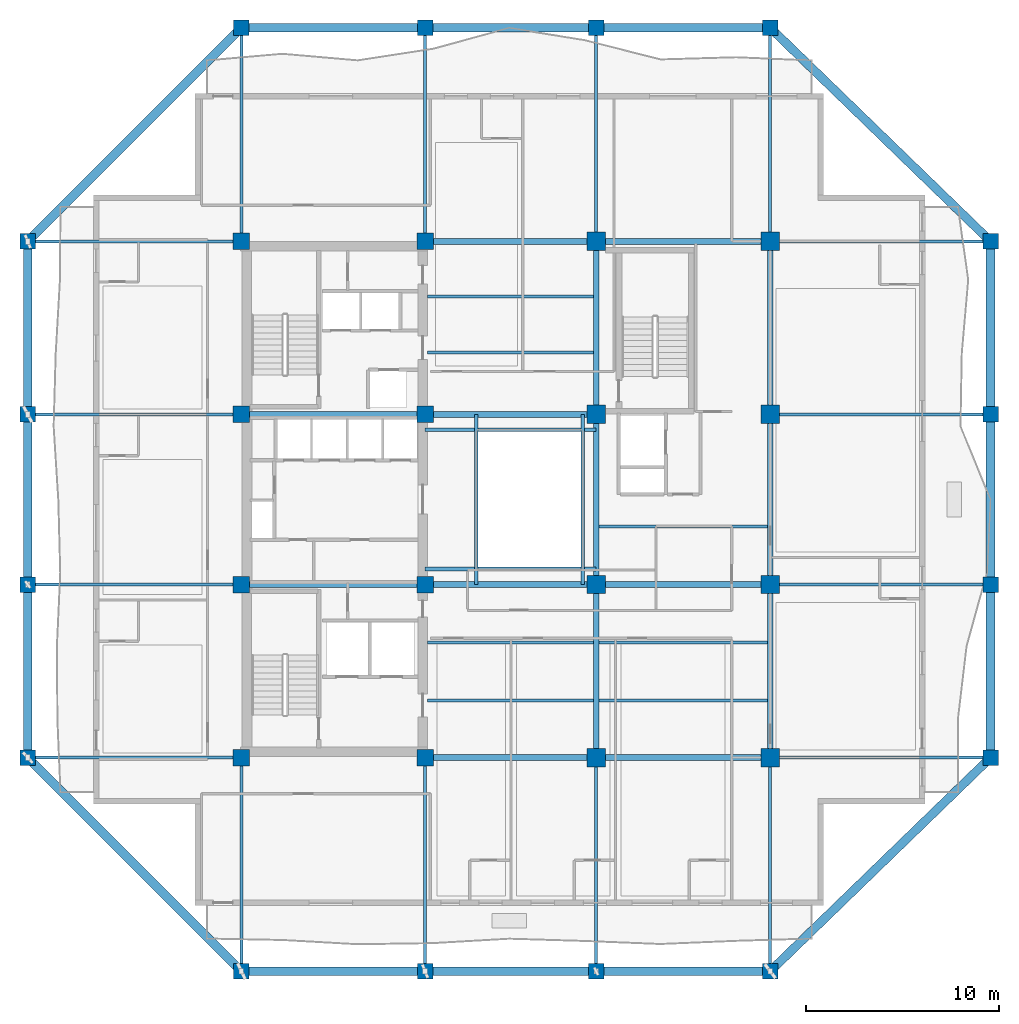
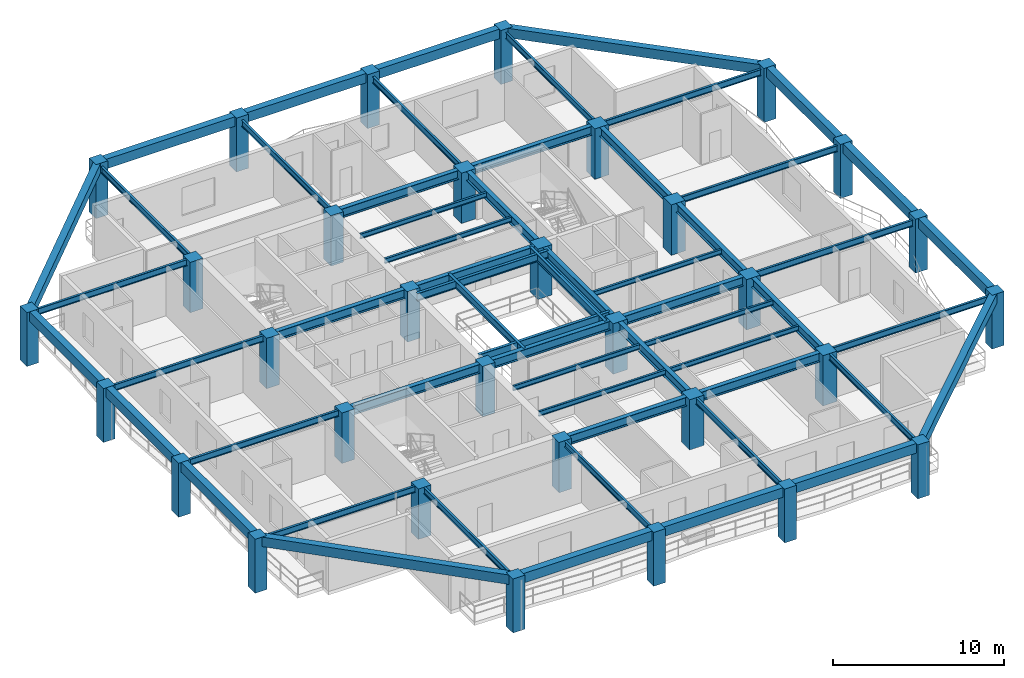
# One storey, part 1 of 13: 58 beams, 32 columns.
"""IFC4 building model written with IfcOpenShell, lengths in metres."""

from ifc_helpers import new_model, si_unit, direction, frame, origin, origin_2d, place, context, subcontext, project, spatial, rectangle, i_section, extrude, material, material_profile, profile_set, type_object, element, save


model = new_model("IFC4")

# Units and contexts
model_context = context("Model", 3, precision=1e-05, world=origin(), true_north=direction((0.0, 1.0)))
body_context = subcontext(model_context, "Body", "Model", "MODEL_VIEW")
ifc_project = project(units=[si_unit("LENGTHUNIT", "METRE"), si_unit("AREAUNIT", "SQUARE_METRE"), si_unit("VOLUMEUNIT", "CUBIC_METRE"), si_unit("PLANEANGLEUNIT", "RADIAN"), si_unit("MASSUNIT", "GRAM", prefix="KILO")], contexts=[model_context])

# Site, building, storey
site_placement = place(None, origin())
site = spatial("IfcSite", under=ifc_project, at=site_placement, CompositionType="ELEMENT")
building_placement = place(site_placement, origin())
building = spatial("IfcBuilding", under=site, at=building_placement, Name="Kundavana Baori Tower", CompositionType="ELEMENT")
storey_placement = place(building_placement, frame((0.0, 0.0, 181.0)))
storey = spatial("IfcBuildingStorey", under=building, at=storey_placement, Name="L44", CompositionType="ELEMENT", Elevation=181.0)

# Columns
ifc_material_1 = material(Name="Concrete C50/60", Category="concrete")
ifc_material_profile_1 = material_profile(ifc_material_1, rectangle(XDim=0.800048828125, YDim=0.800048828125, at=origin_2d()), Name="RC PF 800x800")
ifc_profile_set_1 = profile_set([ifc_material_profile_1], Name="Concrete C50/60")
column_type_1 = type_object("IfcColumnType", Name="COL-PF-800", PredefinedType="COLUMN", material=ifc_profile_set_1)
for number, where, z_axis, x_axis, name in (
    (1, (15.449951171875, 4.199951171875, 0.0), (0.0, 0.0, 1.0), (1.0, 0.0, 0.0), "L44 Stone-Clad Perimeter Frame Column PF-S1"),
    (2, (15.449951171875, 53.0, 0.0), (0.0, 0.0, 1.0), (1.0, 0.0, 0.0), "L44 Stone-Clad Perimeter Frame Column PF-N1"),
    (3, (24.949951171875, 4.199951171875, 0.0), (0.0, 0.0, 1.0), (1.0, 0.0, 0.0), "L44 Stone-Clad Perimeter Frame Column PF-S2"),
    (4, (24.949951171875, 53.0, 0.0), (0.0, 0.0, 1.0), (1.0, 0.0, 0.0), "L44 Stone-Clad Perimeter Frame Column PF-N2"),
    (5, (33.800048828125, 4.199951171875, 0.0), (0.0, 0.0, 1.0), (1.0, 0.0, 0.0), "L44 Stone-Clad Perimeter Frame Column PF-S3"),
    (6, (33.800048828125, 53.0, 0.0), (0.0, 0.0, 1.0), (1.0, 0.0, 0.0), "L44 Stone-Clad Perimeter Frame Column PF-N3"),
    (7, (42.800048828125, 4.199951171875, 0.0), (0.0, 0.0, 1.0), (1.0, 0.0, 0.0), "L44 Stone-Clad Perimeter Frame Column PF-S4"),
    (8, (42.800048828125, 53.0, 0.0), (0.0, 0.0, 1.0), (1.0, 0.0, 0.0), "L44 Stone-Clad Perimeter Frame Column PF-N4"),
    (9, (4.39990234375, 15.25, 0.0), (0.0, 0.0, 1.0), (1.0, 0.0, 0.0), "L44 Stone-Clad Perimeter Frame Column PF-W1"),
    (10, (54.199951171875, 15.25, 0.0), (0.0, 0.0, 1.0), (1.0, 0.0, 0.0), "L44 Stone-Clad Perimeter Frame Column PF-E1"),
    (11, (4.39990234375, 24.199951171875, 0.0), (0.0, 0.0, 1.0), (1.0, 0.0, 0.0), "L44 Stone-Clad Perimeter Frame Column PF-W2"),
    (12, (54.199951171875, 24.199951171875, 0.0), (0.0, 0.0, 1.0), (1.0, 0.0, 0.0), "L44 Stone-Clad Perimeter Frame Column PF-E2"),
    (13, (4.39990234375, 33.0, 0.0), (0.0, 0.0, 1.0), (1.0, 0.0, 0.0), "L44 Stone-Clad Perimeter Frame Column PF-W3"),
    (14, (54.199951171875, 33.0, 0.0), (0.0, 0.0, 1.0), (1.0, 0.0, 0.0), "L44 Stone-Clad Perimeter Frame Column PF-E3"),
    (15, (4.39990234375, 41.949951171875, 0.0), (0.0, 0.0, 1.0), (1.0, 0.0, 0.0), "L44 Stone-Clad Perimeter Frame Column PF-W4"),
    (16, (54.199951171875, 41.949951171875, 0.0), (0.0, 0.0, 1.0), (1.0, 0.0, 0.0), "L44 Stone-Clad Perimeter Frame Column PF-E4"),
):
    element("IfcColumn", number, at=place(storey_placement, frame(where, z_axis=z_axis, x_axis=x_axis)), inside=storey, type_object=column_type_1, Name=name, PredefinedType="COLUMN", context=body_context, shape_type="SweptSolid", body=[
        extrude(rectangle(XDim=0.800048828125, YDim=0.800048828125, at=origin_2d()), origin(), (0.0, 0.0, 1.0), 3.85009765625),
    ])
ifc_material_2 = material(Name="Concrete C50/60", Category="concrete")
ifc_material_profile_2 = material_profile(ifc_material_2, rectangle(XDim=0.85009765625, YDim=0.85009765625, at=origin_2d()), Name="RC 850x850")
ifc_profile_set_2 = profile_set([ifc_material_profile_2], Name="Concrete C50/60")
column_type_2 = type_object("IfcColumnType", Name="COL-RC-850", PredefinedType="COLUMN", material=ifc_profile_set_2)
for number, where, z_axis, x_axis, name in (
    (17, (15.449951171875, 15.25, 0.0), (0.0, 0.0, 1.0), (1.0, 0.0, 0.0), "L44 Interior Column IC-3C"),
    (18, (15.449951171875, 24.199951171875, 0.0), (0.0, 0.0, 1.0), (1.0, 0.0, 0.0), "L44 Interior Column IC-3D"),
    (19, (15.449951171875, 33.0, 0.0), (0.0, 0.0, 1.0), (1.0, 0.0, 0.0), "L44 Interior Column IC-3E"),
    (20, (15.449951171875, 41.949951171875, 0.0), (0.0, 0.0, 1.0), (1.0, 0.0, 0.0), "L44 Interior Column IC-3F"),
    (21, (24.949951171875, 15.25, 0.0), (0.0, 0.0, 1.0), (1.0, 0.0, 0.0), "L44 Interior Column IC-4C"),
    (22, (24.949951171875, 24.199951171875, 0.0), (0.0, 0.0, 1.0), (1.0, 0.0, 0.0), "L44 Interior Column IC-4D"),
    (23, (24.949951171875, 33.0, 0.0), (0.0, 0.0, 1.0), (1.0, 0.0, 0.0), "L44 Interior Column IC-4E"),
    (24, (24.949951171875, 41.949951171875, 0.0), (0.0, 0.0, 1.0), (1.0, 0.0, 0.0), "L44 Interior Column IC-4F"),
):
    element("IfcColumn", number, at=place(storey_placement, frame(where, z_axis=z_axis, x_axis=x_axis)), inside=storey, type_object=column_type_2, Name=name, PredefinedType="COLUMN", context=body_context, shape_type="SweptSolid", body=[
        extrude(rectangle(XDim=0.85009765625, YDim=0.85009765625, at=origin_2d()), origin(), (0.0, 0.0, 1.0), 3.60009765625),
    ])
ifc_material_3 = material(Name="Concrete C50/60", Category="concrete")
ifc_material_profile_3 = material_profile(ifc_material_3, rectangle(XDim=0.949951171875, YDim=0.949951171875, at=origin_2d()), Name="RC 950x950")
ifc_profile_set_3 = profile_set([ifc_material_profile_3], Name="Concrete C50/60")
column_type_3 = type_object("IfcColumnType", Name="COL-RC-950", PredefinedType="COLUMN", material=ifc_profile_set_3)
for number, where, z_axis, x_axis, name in (
    (25, (33.800048828125, 15.25, 0.0), (0.0, 0.0, 1.0), (1.0, 0.0, 0.0), "L44 Interior Column IC-5C"),
    (26, (33.800048828125, 24.199951171875, 0.0), (0.0, 0.0, 1.0), (1.0, 0.0, 0.0), "L44 Interior Column IC-5D"),
    (27, (33.800048828125, 33.0, 0.0), (0.0, 0.0, 1.0), (1.0, 0.0, 0.0), "L44 Interior Column IC-5E"),
    (28, (33.800048828125, 41.949951171875, 0.0), (0.0, 0.0, 1.0), (1.0, 0.0, 0.0), "L44 Interior Column IC-5F"),
    (29, (42.800048828125, 15.25, 0.0), (0.0, 0.0, 1.0), (1.0, 0.0, 0.0), "L44 Interior Column IC-6C"),
    (30, (42.800048828125, 24.199951171875, 0.0), (0.0, 0.0, 1.0), (1.0, 0.0, 0.0), "L44 Interior Column IC-6D"),
    (31, (42.800048828125, 33.0, 0.0), (0.0, 0.0, 1.0), (1.0, 0.0, 0.0), "L44 Interior Column IC-6E"),
    (32, (42.800048828125, 41.949951171875, 0.0), (0.0, 0.0, 1.0), (1.0, 0.0, 0.0), "L44 Interior Column IC-6F"),
):
    element("IfcColumn", number, at=place(storey_placement, frame(where, z_axis=z_axis, x_axis=x_axis)), inside=storey, type_object=column_type_3, Name=name, PredefinedType="COLUMN", context=body_context, shape_type="SweptSolid", body=[
        extrude(rectangle(XDim=0.949951171875, YDim=0.949951171875, at=origin_2d()), origin(), (0.0, 0.0, 1.0), 3.60009765625),
    ])

# Beams
ifc_material_4 = material(Name="Structural Steel S355JR", Category="steel")
ifc_material_profile_4 = material_profile(ifc_material_4, i_section(OverallWidth=0.139892578125, OverallDepth=0.35009765625, WebThickness=0.008056640625, FlangeThickness=0.01416015625, FilletRadius=0.013916015625, at=origin_2d()), Name="ISMB 350")
ifc_profile_set_4 = profile_set([ifc_material_profile_4], Name="Structural Steel S355JR")
beam_type_1 = type_object("IfcBeamType", Name="BM-JST-350", PredefinedType="JOIST", material=ifc_profile_set_4)
for number, where, z_axis, x_axis, name in (
    (33, (25.080078125, 18.199951171875, 3.425048828125), (1.0, 0.0, 0.0), (0.0, 1.0, 0.0), "L44 Central Bay Composite Floor Joist C1"),
    (34, (25.080078125, 21.199951171875, 3.425048828125), (1.0, 0.0, 0.0), (0.0, 1.0, 0.0), "L44 Central Bay Composite Floor Joist C2"),
    (35, (25.080078125, 36.199951171875, 3.425048828125), (1.0, 0.0, 0.0), (0.0, 1.0, 0.0), "L44 Central Bay Composite Floor Joist C3"),
    (36, (25.080078125, 39.10009765625, 3.425048828125), (1.0, 0.0, 0.0), (0.0, 1.0, 0.0), "L44 Central Bay Composite Floor Joist C4"),
):
    element("IfcBeam", number, at=place(storey_placement, frame(where, z_axis=z_axis, x_axis=x_axis)), inside=storey, type_object=beam_type_1, Name=name, PredefinedType="JOIST", context=body_context, shape_type="SweptSolid", body=[
        extrude(i_section(OverallWidth=0.139892578125, OverallDepth=0.35009765625, WebThickness=0.008056640625, FlangeThickness=0.01416015625, FilletRadius=0.013916015625, at=origin_2d()), origin(), (0.0, 0.0, 1.0), 8.56982421875),
    ])
for number, where, z_axis, x_axis, name in (
    (37, (33.949951171875, 18.199951171875, 3.425048828125), (1.0, 0.0, 0.0), (0.0, 1.0, 0.0), "L44 East Bay Composite Floor Joist E1"),
    (38, (33.949951171875, 21.199951171875, 3.425048828125), (1.0, 0.0, 0.0), (0.0, 1.0, 0.0), "L44 East Bay Composite Floor Joist E2"),
    (39, (33.949951171875, 27.199951171875, 3.425048828125), (1.0, 0.0, 0.0), (0.0, 1.0, 0.0), "L44 East Bay Composite Floor Joist E3"),
):
    element("IfcBeam", number, at=place(storey_placement, frame(where, z_axis=z_axis, x_axis=x_axis)), inside=storey, type_object=beam_type_1, Name=name, PredefinedType="JOIST", context=body_context, shape_type="SweptSolid", body=[
        extrude(i_section(OverallWidth=0.139892578125, OverallDepth=0.35009765625, WebThickness=0.008056640625, FlangeThickness=0.01416015625, FilletRadius=0.013916015625, at=origin_2d()), origin(), (0.0, 0.0, 1.0), 8.699951171875),
    ])
ifc_material_5 = material(Name="Concrete C50/60", Category="concrete")
ifc_material_profile_5 = material_profile(ifc_material_5, rectangle(XDim=0.449951171875, YDim=0.679931640625, at=origin_2d()), Name="RC BM 450x680")
ifc_profile_set_5 = profile_set([ifc_material_profile_5], Name="Concrete C50/60")
beam_type_2 = type_object("IfcBeamType", Name="BM-PF-680", PredefinedType="SPANDREL", material=ifc_profile_set_5)
beam_1_placement = place(storey_placement, frame((15.449951171875, 4.199951171875, 3.510009765625), z_axis=(1.0, 0.0, 0.0), x_axis=(0.0, 1.0, 0.0)))
element("IfcBeam", 40, at=beam_1_placement, inside=storey, type_object=beam_type_2, Name="L44 Perimeter Frame Ring Beam S1", PredefinedType="SPANDREL", context=body_context, shape_type="SweptSolid", body=[
    extrude(rectangle(XDim=0.449951171875, YDim=0.679931640625, at=origin_2d()), origin(), (0.0, 0.0, 1.0), 9.5),
])
beam_2_placement = place(storey_placement, frame((24.949951171875, 4.199951171875, 3.510009765625), z_axis=(1.0, 0.0, 0.0), x_axis=(0.0, 1.0, 0.0)))
element("IfcBeam", 41, at=beam_2_placement, inside=storey, type_object=beam_type_2, Name="L44 Perimeter Frame Ring Beam S2", PredefinedType="SPANDREL", context=body_context, shape_type="SweptSolid", body=[
    extrude(rectangle(XDim=0.449951171875, YDim=0.679931640625, at=origin_2d()), origin(), (0.0, 0.0, 1.0), 8.85009765625),
])
beam_3_placement = place(storey_placement, frame((33.800048828125, 4.199951171875, 3.510009765625), z_axis=(1.0, 0.0, 0.0), x_axis=(0.0, 1.0, 0.0)))
element("IfcBeam", 42, at=beam_3_placement, inside=storey, type_object=beam_type_2, Name="L44 Perimeter Frame Ring Beam S3", PredefinedType="SPANDREL", context=body_context, shape_type="SweptSolid", body=[
    extrude(rectangle(XDim=0.449951171875, YDim=0.679931640625, at=origin_2d()), origin(), (0.0, 0.0, 1.0), 9.0),
])
beam_4_placement = place(storey_placement, frame((15.449951171875, 53.0, 3.510009765625), z_axis=(1.0, 0.0, 0.0), x_axis=(0.0, 1.0, 0.0)))
element("IfcBeam", 43, at=beam_4_placement, inside=storey, type_object=beam_type_2, Name="L44 Perimeter Frame Ring Beam N1", PredefinedType="SPANDREL", context=body_context, shape_type="SweptSolid", body=[
    extrude(rectangle(XDim=0.449951171875, YDim=0.679931640625, at=origin_2d()), origin(), (0.0, 0.0, 1.0), 9.5),
])
beam_5_placement = place(storey_placement, frame((24.949951171875, 53.0, 3.510009765625), z_axis=(1.0, 0.0, 0.0), x_axis=(0.0, 1.0, 0.0)))
element("IfcBeam", 44, at=beam_5_placement, inside=storey, type_object=beam_type_2, Name="L44 Perimeter Frame Ring Beam N2", PredefinedType="SPANDREL", context=body_context, shape_type="SweptSolid", body=[
    extrude(rectangle(XDim=0.449951171875, YDim=0.679931640625, at=origin_2d()), origin(), (0.0, 0.0, 1.0), 8.85009765625),
])
beam_6_placement = place(storey_placement, frame((33.800048828125, 53.0, 3.510009765625), z_axis=(1.0, 0.0, 0.0), x_axis=(0.0, 1.0, 0.0)))
element("IfcBeam", 45, at=beam_6_placement, inside=storey, type_object=beam_type_2, Name="L44 Perimeter Frame Ring Beam N3", PredefinedType="SPANDREL", context=body_context, shape_type="SweptSolid", body=[
    extrude(rectangle(XDim=0.449951171875, YDim=0.679931640625, at=origin_2d()), origin(), (0.0, 0.0, 1.0), 9.0),
])
beam_7_placement = place(storey_placement, frame((4.39990234375, 15.25, 3.510009765625), z_axis=(0.0, 1.0, 0.0), x_axis=(-1.0, 0.0, 0.0)))
element("IfcBeam", 46, at=beam_7_placement, inside=storey, type_object=beam_type_2, Name="L44 Perimeter Frame Ring Beam W1", PredefinedType="SPANDREL", context=body_context, shape_type="SweptSolid", body=[
    extrude(rectangle(XDim=0.449951171875, YDim=0.679931640625, at=origin_2d()), origin(), (0.0, 0.0, 1.0), 8.949951171875),
])
beam_8_placement = place(storey_placement, frame((4.39990234375, 24.199951171875, 3.510009765625), z_axis=(0.0, 1.0, 0.0), x_axis=(-1.0, 0.0, 0.0)))
element("IfcBeam", 47, at=beam_8_placement, inside=storey, type_object=beam_type_2, Name="L44 Perimeter Frame Ring Beam W2", PredefinedType="SPANDREL", context=body_context, shape_type="SweptSolid", body=[
    extrude(rectangle(XDim=0.449951171875, YDim=0.679931640625, at=origin_2d()), origin(), (0.0, 0.0, 1.0), 8.800048828125),
])
for number, where, z_axis, x_axis, name in (
    (48, (4.39990234375, 33.0, 3.510009765625), (0.0, 1.0, 0.0), (-1.0, 0.0, 0.0), "L44 Perimeter Frame Ring Beam W3"),
    (49, (54.199951171875, 15.25, 3.510009765625), (0.0, 1.0, 0.0), (-1.0, 0.0, 0.0), "L44 Perimeter Frame Ring Beam E1"),
):
    element("IfcBeam", number, at=place(storey_placement, frame(where, z_axis=z_axis, x_axis=x_axis)), inside=storey, type_object=beam_type_2, Name=name, PredefinedType="SPANDREL", context=body_context, shape_type="SweptSolid", body=[
        extrude(rectangle(XDim=0.449951171875, YDim=0.679931640625, at=origin_2d()), origin(), (0.0, 0.0, 1.0), 8.949951171875),
    ])
beam_9_placement = place(storey_placement, frame((54.199951171875, 24.199951171875, 3.510009765625), z_axis=(0.0, 1.0, 0.0), x_axis=(-1.0, 0.0, 0.0)))
element("IfcBeam", 50, at=beam_9_placement, inside=storey, type_object=beam_type_2, Name="L44 Perimeter Frame Ring Beam E2", PredefinedType="SPANDREL", context=body_context, shape_type="SweptSolid", body=[
    extrude(rectangle(XDim=0.449951171875, YDim=0.679931640625, at=origin_2d()), origin(), (0.0, 0.0, 1.0), 8.800048828125),
])
beam_10_placement = place(storey_placement, frame((54.199951171875, 33.0, 3.510009765625), z_axis=(0.0, 1.0, 0.0), x_axis=(-1.0, 0.0, 0.0)))
element("IfcBeam", 51, at=beam_10_placement, inside=storey, type_object=beam_type_2, Name="L44 Perimeter Frame Ring Beam E3", PredefinedType="SPANDREL", context=body_context, shape_type="SweptSolid", body=[
    extrude(rectangle(XDim=0.449951171875, YDim=0.679931640625, at=origin_2d()), origin(), (0.0, 0.0, 1.0), 8.949951171875),
])
beam_11_placement = place(storey_placement, frame((15.449951171875, 4.199951171875, 3.510009765625), z_axis=(-0.707106781187, 0.707106781187, 0.0), x_axis=(-0.707106781187, -0.707106781187, 0.0)))
element("IfcBeam", 52, at=beam_11_placement, inside=storey, type_object=beam_type_2, Name="L44 Notched Corner Perimeter Beam SW", PredefinedType="SPANDREL", context=body_context, shape_type="SweptSolid", body=[
    extrude(rectangle(XDim=0.449951171875, YDim=0.679931640625, at=origin_2d()), origin(), (0.0, 0.0, 1.0), 15.627197265625),
])
beam_12_placement = place(storey_placement, frame((42.800048828125, 4.199951171875, 3.510009765625), z_axis=(0.718038944492, 0.696002926857, 0.0), x_axis=(-0.696002926857, 0.718038944492, 0.0)))
element("IfcBeam", 53, at=beam_12_placement, inside=storey, type_object=beam_type_2, Name="L44 Notched Corner Perimeter Beam SE", PredefinedType="SPANDREL", context=body_context, shape_type="SweptSolid", body=[
    extrude(rectangle(XDim=0.449951171875, YDim=0.679931640625, at=origin_2d()), origin(), (0.0, 0.0, 1.0), 15.87646484375),
])
beam_13_placement = place(storey_placement, frame((15.449951171875, 53.0, 3.510009765625), z_axis=(-0.707106781187, -0.707106781187, 0.0), x_axis=(0.707106781187, -0.707106781187, 0.0)))
element("IfcBeam", 54, at=beam_13_placement, inside=storey, type_object=beam_type_2, Name="L44 Notched Corner Perimeter Beam NW", PredefinedType="SPANDREL", context=body_context, shape_type="SweptSolid", body=[
    extrude(rectangle(XDim=0.449951171875, YDim=0.679931640625, at=origin_2d()), origin(), (0.0, 0.0, 1.0), 15.627197265625),
])
beam_14_placement = place(storey_placement, frame((42.800048828125, 53.0, 3.510009765625), z_axis=(0.718038944492, -0.696002926857, 0.0), x_axis=(0.696002926857, 0.718038944492, 0.0)))
element("IfcBeam", 55, at=beam_14_placement, inside=storey, type_object=beam_type_2, Name="L44 Notched Corner Perimeter Beam NE", PredefinedType="SPANDREL", context=body_context, shape_type="SweptSolid", body=[
    extrude(rectangle(XDim=0.449951171875, YDim=0.679931640625, at=origin_2d()), origin(), (0.0, 0.0, 1.0), 15.87646484375),
])
ifc_material_6 = material(Name="Structural Steel S355JR", Category="steel")
ifc_material_profile_6 = material_profile(ifc_material_6, i_section(OverallWidth=0.18994140625, OverallDepth=0.550048828125, WebThickness=0.01123046875, FlangeThickness=0.019287109375, FilletRadius=0.01806640625, at=origin_2d()), Name="ISMB 550")
ifc_profile_set_6 = profile_set([ifc_material_profile_6], Name="Structural Steel S355JR")
beam_type_3 = type_object("IfcBeamType", Name="BM-ST-550", PredefinedType="BEAM", material=ifc_profile_set_6)
for number, where, z_axis, x_axis, name in (
    (56, (27.60009765625, 24.199951171875, 3.324951171875), (0.0, 1.0, 0.0), (-1.0, 0.0, 0.0), "L44 Atrium West Edge Beam"),
    (57, (33.10009765625, 24.199951171875, 3.324951171875), (0.0, 1.0, 0.0), (-1.0, 0.0, 0.0), "L44 Atrium East Edge Beam"),
):
    element("IfcBeam", number, at=place(storey_placement, frame(where, z_axis=z_axis, x_axis=x_axis)), inside=storey, type_object=beam_type_3, Name=name, PredefinedType="BEAM", context=body_context, shape_type="SweptSolid", body=[
        extrude(i_section(OverallWidth=0.18994140625, OverallDepth=0.550048828125, WebThickness=0.01123046875, FlangeThickness=0.019287109375, FilletRadius=0.01806640625, at=origin_2d()), origin(), (0.0, 0.0, 1.0), 8.800048828125),
    ])
for number, where, z_axis, x_axis, name in (
    (58, (24.949951171875, 25.0, 3.324951171875), (1.0, 0.0, 0.0), (0.0, 1.0, 0.0), "L44 Atrium South Edge Beam"),
    (59, (24.949951171875, 32.199951171875, 3.324951171875), (1.0, 0.0, 0.0), (0.0, 1.0, 0.0), "L44 Atrium North Edge Beam"),
):
    element("IfcBeam", number, at=place(storey_placement, frame(where, z_axis=z_axis, x_axis=x_axis)), inside=storey, type_object=beam_type_3, Name=name, PredefinedType="BEAM", context=body_context, shape_type="SweptSolid", body=[
        extrude(i_section(OverallWidth=0.18994140625, OverallDepth=0.550048828125, WebThickness=0.01123046875, FlangeThickness=0.019287109375, FilletRadius=0.01806640625, at=origin_2d()), origin(), (0.0, 0.0, 1.0), 8.85009765625),
    ])
ifc_material_7 = material(Name="Structural Steel S355JR", Category="steel")
ifc_material_profile_7 = material_profile(ifc_material_7, i_section(OverallWidth=0.300048828125, OverallDepth=0.64990234375, WebThickness=0.013427734375, FlangeThickness=0.02197265625, FilletRadius=0.02392578125, at=origin_2d()), Name="NPB 650x300x155")
ifc_profile_set_7 = profile_set([ifc_material_profile_7], Name="Structural Steel S355JR")
beam_type_4 = type_object("IfcBeamType", Name="BM-ST-650", PredefinedType="BEAM", material=ifc_profile_set_7)
beam_15_placement = place(storey_placement, frame((24.949951171875, 15.25, 3.27490234375), z_axis=(1.0, 0.0, 0.0), x_axis=(0.0, 1.0, 0.0)))
element("IfcBeam", 60, at=beam_15_placement, inside=storey, type_object=beam_type_4, Name="L44 Primary Grid Girder GX-1-2", PredefinedType="BEAM", context=body_context, shape_type="SweptSolid", body=[
    extrude(i_section(OverallWidth=0.300048828125, OverallDepth=0.64990234375, WebThickness=0.013427734375, FlangeThickness=0.02197265625, FilletRadius=0.02392578125, at=origin_2d()), origin(), (0.0, 0.0, 1.0), 8.85009765625),
])
beam_16_placement = place(storey_placement, frame((33.800048828125, 15.25, 3.27490234375), z_axis=(1.0, 0.0, 0.0), x_axis=(0.0, 1.0, 0.0)))
element("IfcBeam", 61, at=beam_16_placement, inside=storey, type_object=beam_type_4, Name="L44 Primary Grid Girder GX-1-3", PredefinedType="BEAM", context=body_context, shape_type="SweptSolid", body=[
    extrude(i_section(OverallWidth=0.300048828125, OverallDepth=0.64990234375, WebThickness=0.013427734375, FlangeThickness=0.02197265625, FilletRadius=0.02392578125, at=origin_2d()), origin(), (0.0, 0.0, 1.0), 9.0),
])
beam_17_placement = place(storey_placement, frame((15.449951171875, 24.199951171875, 3.27490234375), z_axis=(1.0, 0.0, 0.0), x_axis=(0.0, 1.0, 0.0)))
element("IfcBeam", 62, at=beam_17_placement, inside=storey, type_object=beam_type_4, Name="L44 Primary Grid Girder GX-2-1", PredefinedType="BEAM", context=body_context, shape_type="SweptSolid", body=[
    extrude(i_section(OverallWidth=0.300048828125, OverallDepth=0.64990234375, WebThickness=0.013427734375, FlangeThickness=0.02197265625, FilletRadius=0.02392578125, at=origin_2d()), origin(), (0.0, 0.0, 1.0), 9.5),
])
beam_18_placement = place(storey_placement, frame((24.949951171875, 24.199951171875, 3.27490234375), z_axis=(1.0, 0.0, 0.0), x_axis=(0.0, 1.0, 0.0)))
element("IfcBeam", 63, at=beam_18_placement, inside=storey, type_object=beam_type_4, Name="L44 Primary Grid Girder GX-2-2", PredefinedType="BEAM", context=body_context, shape_type="SweptSolid", body=[
    extrude(i_section(OverallWidth=0.300048828125, OverallDepth=0.64990234375, WebThickness=0.013427734375, FlangeThickness=0.02197265625, FilletRadius=0.02392578125, at=origin_2d()), origin(), (0.0, 0.0, 1.0), 8.85009765625),
])
beam_19_placement = place(storey_placement, frame((33.800048828125, 24.199951171875, 3.27490234375), z_axis=(1.0, 0.0, 0.0), x_axis=(0.0, 1.0, 0.0)))
element("IfcBeam", 64, at=beam_19_placement, inside=storey, type_object=beam_type_4, Name="L44 Primary Grid Girder GX-2-3", PredefinedType="BEAM", context=body_context, shape_type="SweptSolid", body=[
    extrude(i_section(OverallWidth=0.300048828125, OverallDepth=0.64990234375, WebThickness=0.013427734375, FlangeThickness=0.02197265625, FilletRadius=0.02392578125, at=origin_2d()), origin(), (0.0, 0.0, 1.0), 9.0),
])
beam_20_placement = place(storey_placement, frame((15.449951171875, 33.0, 3.27490234375), z_axis=(1.0, 0.0, 0.0), x_axis=(0.0, 1.0, 0.0)))
element("IfcBeam", 65, at=beam_20_placement, inside=storey, type_object=beam_type_4, Name="L44 Primary Grid Girder GX-3-1", PredefinedType="BEAM", context=body_context, shape_type="SweptSolid", body=[
    extrude(i_section(OverallWidth=0.300048828125, OverallDepth=0.64990234375, WebThickness=0.013427734375, FlangeThickness=0.02197265625, FilletRadius=0.02392578125, at=origin_2d()), origin(), (0.0, 0.0, 1.0), 9.5),
])
for number, where, z_axis, x_axis, name in (
    (66, (24.949951171875, 33.0, 3.27490234375), (1.0, 0.0, 0.0), (0.0, 1.0, 0.0), "L44 Primary Grid Girder GX-3-2"),
    (67, (24.949951171875, 41.949951171875, 3.27490234375), (1.0, 0.0, 0.0), (0.0, 1.0, 0.0), "L44 Primary Grid Girder GX-4-2"),
):
    element("IfcBeam", number, at=place(storey_placement, frame(where, z_axis=z_axis, x_axis=x_axis)), inside=storey, type_object=beam_type_4, Name=name, PredefinedType="BEAM", context=body_context, shape_type="SweptSolid", body=[
        extrude(i_section(OverallWidth=0.300048828125, OverallDepth=0.64990234375, WebThickness=0.013427734375, FlangeThickness=0.02197265625, FilletRadius=0.02392578125, at=origin_2d()), origin(), (0.0, 0.0, 1.0), 8.85009765625),
    ])
beam_21_placement = place(storey_placement, frame((33.800048828125, 41.949951171875, 3.27490234375), z_axis=(1.0, 0.0, 0.0), x_axis=(0.0, 1.0, 0.0)))
element("IfcBeam", 68, at=beam_21_placement, inside=storey, type_object=beam_type_4, Name="L44 Primary Grid Girder GX-4-3", PredefinedType="BEAM", context=body_context, shape_type="SweptSolid", body=[
    extrude(i_section(OverallWidth=0.300048828125, OverallDepth=0.64990234375, WebThickness=0.013427734375, FlangeThickness=0.02197265625, FilletRadius=0.02392578125, at=origin_2d()), origin(), (0.0, 0.0, 1.0), 9.0),
])
beam_22_placement = place(storey_placement, frame((33.800048828125, 15.25, 3.27490234375), z_axis=(0.0, 1.0, 0.0), x_axis=(-1.0, 0.0, 0.0)))
element("IfcBeam", 69, at=beam_22_placement, inside=storey, type_object=beam_type_4, Name="L44 Primary Grid Girder GY-3-1", PredefinedType="BEAM", context=body_context, shape_type="SweptSolid", body=[
    extrude(i_section(OverallWidth=0.300048828125, OverallDepth=0.64990234375, WebThickness=0.013427734375, FlangeThickness=0.02197265625, FilletRadius=0.02392578125, at=origin_2d()), origin(), (0.0, 0.0, 1.0), 8.949951171875),
])
beam_23_placement = place(storey_placement, frame((33.800048828125, 24.199951171875, 3.27490234375), z_axis=(0.0, 1.0, 0.0), x_axis=(-1.0, 0.0, 0.0)))
element("IfcBeam", 70, at=beam_23_placement, inside=storey, type_object=beam_type_4, Name="L44 Primary Grid Girder GY-3-2", PredefinedType="BEAM", context=body_context, shape_type="SweptSolid", body=[
    extrude(i_section(OverallWidth=0.300048828125, OverallDepth=0.64990234375, WebThickness=0.013427734375, FlangeThickness=0.02197265625, FilletRadius=0.02392578125, at=origin_2d()), origin(), (0.0, 0.0, 1.0), 8.800048828125),
])
for number, where, z_axis, x_axis, name in (
    (71, (33.800048828125, 33.0, 3.27490234375), (0.0, 1.0, 0.0), (-1.0, 0.0, 0.0), "L44 Primary Grid Girder GY-3-3"),
    (72, (42.800048828125, 15.25, 3.27490234375), (0.0, 1.0, 0.0), (-1.0, 0.0, 0.0), "L44 Primary Grid Girder GY-4-1"),
):
    element("IfcBeam", number, at=place(storey_placement, frame(where, z_axis=z_axis, x_axis=x_axis)), inside=storey, type_object=beam_type_4, Name=name, PredefinedType="BEAM", context=body_context, shape_type="SweptSolid", body=[
        extrude(i_section(OverallWidth=0.300048828125, OverallDepth=0.64990234375, WebThickness=0.013427734375, FlangeThickness=0.02197265625, FilletRadius=0.02392578125, at=origin_2d()), origin(), (0.0, 0.0, 1.0), 8.949951171875),
    ])
beam_24_placement = place(storey_placement, frame((42.800048828125, 24.199951171875, 3.27490234375), z_axis=(0.0, 1.0, 0.0), x_axis=(-1.0, 0.0, 0.0)))
element("IfcBeam", 73, at=beam_24_placement, inside=storey, type_object=beam_type_4, Name="L44 Primary Grid Girder GY-4-2", PredefinedType="BEAM", context=body_context, shape_type="SweptSolid", body=[
    extrude(i_section(OverallWidth=0.300048828125, OverallDepth=0.64990234375, WebThickness=0.013427734375, FlangeThickness=0.02197265625, FilletRadius=0.02392578125, at=origin_2d()), origin(), (0.0, 0.0, 1.0), 8.800048828125),
])
beam_25_placement = place(storey_placement, frame((42.800048828125, 33.0, 3.27490234375), z_axis=(0.0, 1.0, 0.0), x_axis=(-1.0, 0.0, 0.0)))
element("IfcBeam", 74, at=beam_25_placement, inside=storey, type_object=beam_type_4, Name="L44 Primary Grid Girder GY-4-3", PredefinedType="BEAM", context=body_context, shape_type="SweptSolid", body=[
    extrude(i_section(OverallWidth=0.300048828125, OverallDepth=0.64990234375, WebThickness=0.013427734375, FlangeThickness=0.02197265625, FilletRadius=0.02392578125, at=origin_2d()), origin(), (0.0, 0.0, 1.0), 8.949951171875),
])
ifc_material_8 = material(Name="Structural Steel S355JR", Category="steel")
ifc_material_profile_8 = material_profile(ifc_material_8, i_section(OverallWidth=0.14990234375, OverallDepth=0.449951171875, WebThickness=0.009521484375, FlangeThickness=0.017333984375, FilletRadius=0.014892578125, at=origin_2d()), Name="ISMB 450")
ifc_profile_set_8 = profile_set([ifc_material_profile_8], Name="Structural Steel S355JR")
beam_type_5 = type_object("IfcBeamType", Name="BM-TIE-450", PredefinedType="BEAM", material=ifc_profile_set_8)
for number, where, z_axis, x_axis, name in (
    (75, (15.449951171875, 15.25, 3.375), (0.0, -1.0, 0.0), (1.0, 0.0, 0.0), "L44 South Radial Loggia Tie Beam S1"),
    (76, (15.449951171875, 41.949951171875, 3.375), (0.0, 1.0, 0.0), (-1.0, 0.0, 0.0), "L44 North Radial Loggia Tie Beam N1"),
    (77, (24.949951171875, 15.25, 3.375), (0.0, -1.0, 0.0), (1.0, 0.0, 0.0), "L44 South Radial Loggia Tie Beam S2"),
    (78, (24.949951171875, 41.949951171875, 3.375), (0.0, 1.0, 0.0), (-1.0, 0.0, 0.0), "L44 North Radial Loggia Tie Beam N2"),
    (79, (33.800048828125, 15.25, 3.375), (0.0, -1.0, 0.0), (1.0, 0.0, 0.0), "L44 South Radial Loggia Tie Beam S3"),
    (80, (33.800048828125, 41.949951171875, 3.375), (0.0, 1.0, 0.0), (-1.0, 0.0, 0.0), "L44 North Radial Loggia Tie Beam N3"),
    (81, (42.800048828125, 15.25, 3.375), (0.0, -1.0, 0.0), (1.0, 0.0, 0.0), "L44 South Radial Loggia Tie Beam S4"),
    (82, (42.800048828125, 41.949951171875, 3.375), (0.0, 1.0, 0.0), (-1.0, 0.0, 0.0), "L44 North Radial Loggia Tie Beam N4"),
    (83, (15.449951171875, 15.25, 3.375), (-1.0, 0.0, 0.0), (0.0, -1.0, 0.0), "L44 West Radial Loggia Tie Beam W1"),
):
    element("IfcBeam", number, at=place(storey_placement, frame(where, z_axis=z_axis, x_axis=x_axis)), inside=storey, type_object=beam_type_5, Name=name, PredefinedType="BEAM", context=body_context, shape_type="SweptSolid", body=[
        extrude(i_section(OverallWidth=0.14990234375, OverallDepth=0.449951171875, WebThickness=0.009521484375, FlangeThickness=0.017333984375, FilletRadius=0.014892578125, at=origin_2d()), origin(), (0.0, 0.0, 1.0), 11.050048828125),
    ])
beam_26_placement = place(storey_placement, frame((42.800048828125, 15.25, 3.375), z_axis=(1.0, 0.0, 0.0), x_axis=(0.0, 1.0, 0.0)))
element("IfcBeam", 84, at=beam_26_placement, inside=storey, type_object=beam_type_5, Name="L44 East Radial Loggia Tie Beam E1", PredefinedType="BEAM", context=body_context, shape_type="SweptSolid", body=[
    extrude(i_section(OverallWidth=0.14990234375, OverallDepth=0.449951171875, WebThickness=0.009521484375, FlangeThickness=0.017333984375, FilletRadius=0.014892578125, at=origin_2d()), origin(), (0.0, 0.0, 1.0), 11.39990234375),
])
beam_27_placement = place(storey_placement, frame((15.449951171875, 24.199951171875, 3.375), z_axis=(-1.0, 0.0, 0.0), x_axis=(0.0, -1.0, 0.0)))
element("IfcBeam", 85, at=beam_27_placement, inside=storey, type_object=beam_type_5, Name="L44 West Radial Loggia Tie Beam W2", PredefinedType="BEAM", context=body_context, shape_type="SweptSolid", body=[
    extrude(i_section(OverallWidth=0.14990234375, OverallDepth=0.449951171875, WebThickness=0.009521484375, FlangeThickness=0.017333984375, FilletRadius=0.014892578125, at=origin_2d()), origin(), (0.0, 0.0, 1.0), 11.050048828125),
])
beam_28_placement = place(storey_placement, frame((42.800048828125, 24.199951171875, 3.375), z_axis=(1.0, 0.0, 0.0), x_axis=(0.0, 1.0, 0.0)))
element("IfcBeam", 86, at=beam_28_placement, inside=storey, type_object=beam_type_5, Name="L44 East Radial Loggia Tie Beam E2", PredefinedType="BEAM", context=body_context, shape_type="SweptSolid", body=[
    extrude(i_section(OverallWidth=0.14990234375, OverallDepth=0.449951171875, WebThickness=0.009521484375, FlangeThickness=0.017333984375, FilletRadius=0.014892578125, at=origin_2d()), origin(), (0.0, 0.0, 1.0), 11.39990234375),
])
beam_29_placement = place(storey_placement, frame((15.449951171875, 33.0, 3.375), z_axis=(-1.0, 0.0, 0.0), x_axis=(0.0, -1.0, 0.0)))
element("IfcBeam", 87, at=beam_29_placement, inside=storey, type_object=beam_type_5, Name="L44 West Radial Loggia Tie Beam W3", PredefinedType="BEAM", context=body_context, shape_type="SweptSolid", body=[
    extrude(i_section(OverallWidth=0.14990234375, OverallDepth=0.449951171875, WebThickness=0.009521484375, FlangeThickness=0.017333984375, FilletRadius=0.014892578125, at=origin_2d()), origin(), (0.0, 0.0, 1.0), 11.050048828125),
])
beam_30_placement = place(storey_placement, frame((42.800048828125, 33.0, 3.375), z_axis=(1.0, 0.0, 0.0), x_axis=(0.0, 1.0, 0.0)))
element("IfcBeam", 88, at=beam_30_placement, inside=storey, type_object=beam_type_5, Name="L44 East Radial Loggia Tie Beam E3", PredefinedType="BEAM", context=body_context, shape_type="SweptSolid", body=[
    extrude(i_section(OverallWidth=0.14990234375, OverallDepth=0.449951171875, WebThickness=0.009521484375, FlangeThickness=0.017333984375, FilletRadius=0.014892578125, at=origin_2d()), origin(), (0.0, 0.0, 1.0), 11.39990234375),
])
beam_31_placement = place(storey_placement, frame((15.449951171875, 41.949951171875, 3.375), z_axis=(-1.0, 0.0, 0.0), x_axis=(0.0, -1.0, 0.0)))
element("IfcBeam", 89, at=beam_31_placement, inside=storey, type_object=beam_type_5, Name="L44 West Radial Loggia Tie Beam W4", PredefinedType="BEAM", context=body_context, shape_type="SweptSolid", body=[
    extrude(i_section(OverallWidth=0.14990234375, OverallDepth=0.449951171875, WebThickness=0.009521484375, FlangeThickness=0.017333984375, FilletRadius=0.014892578125, at=origin_2d()), origin(), (0.0, 0.0, 1.0), 11.050048828125),
])
beam_32_placement = place(storey_placement, frame((42.800048828125, 41.949951171875, 3.375), z_axis=(1.0, 0.0, 0.0), x_axis=(0.0, 1.0, 0.0)))
element("IfcBeam", 90, at=beam_32_placement, inside=storey, type_object=beam_type_5, Name="L44 East Radial Loggia Tie Beam E4", PredefinedType="BEAM", context=body_context, shape_type="SweptSolid", body=[
    extrude(i_section(OverallWidth=0.14990234375, OverallDepth=0.449951171875, WebThickness=0.009521484375, FlangeThickness=0.017333984375, FilletRadius=0.014892578125, at=origin_2d()), origin(), (0.0, 0.0, 1.0), 11.39990234375),
])

save(model, "model.ifc")
